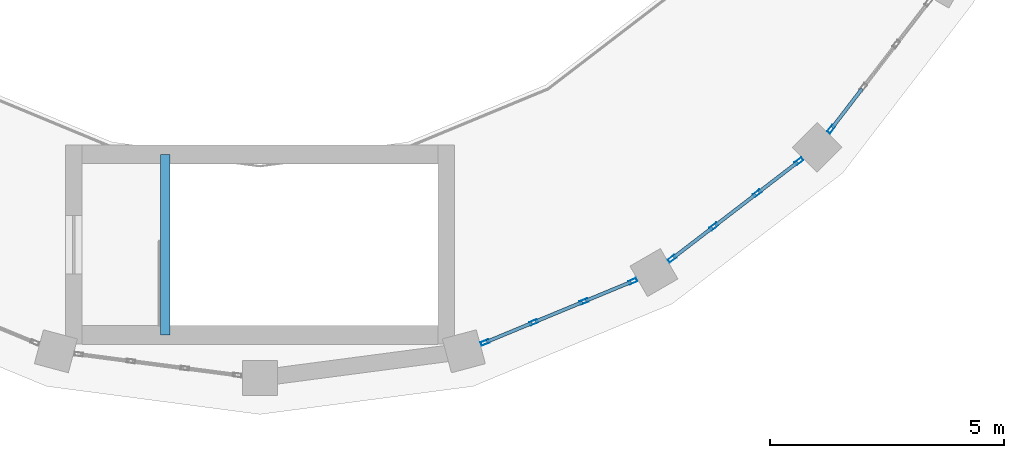
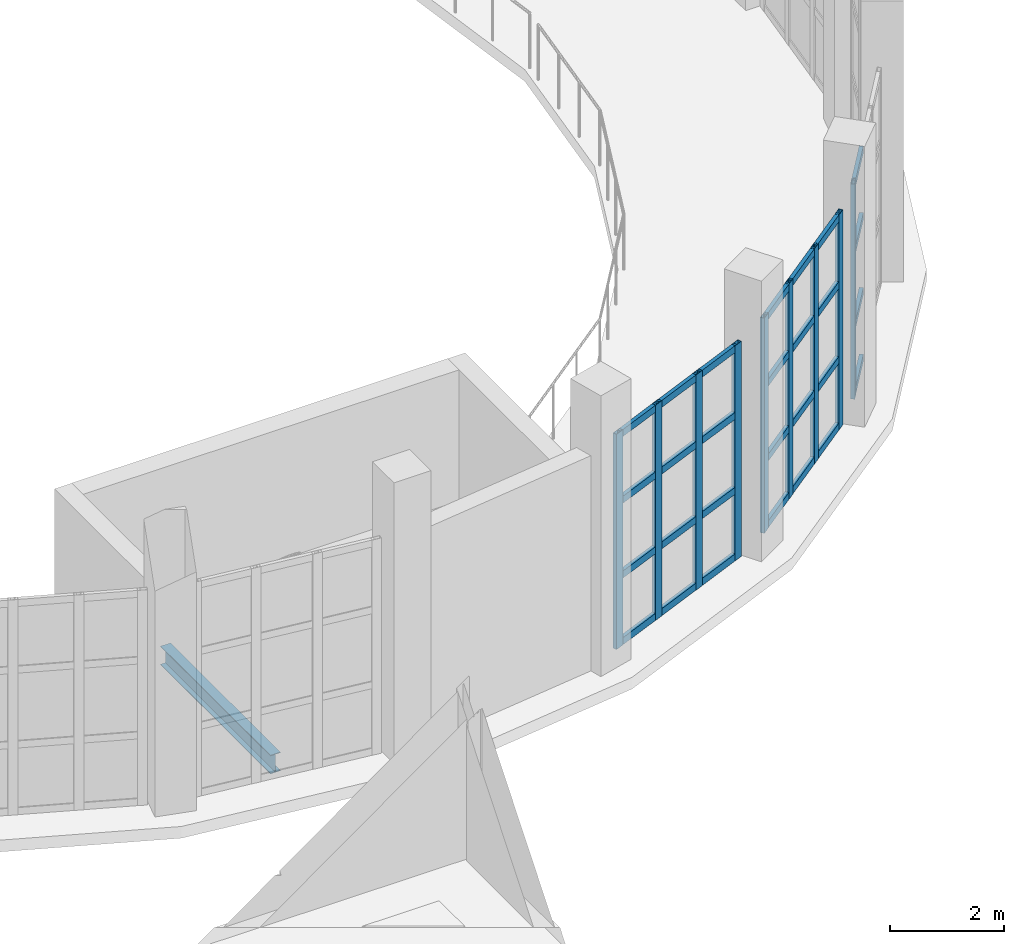
# One storey, part 26 of 59: 37 members, 1 beam, 3 elements without a shape of their own.
"""IFC4 building model written with IfcOpenShell, lengths in metres."""

from ifc_helpers import new_model, si_unit, direction, frame, origin, origin_2d, place, context, subcontext, project, spatial, hollow_rectangle, i_section, extrude, material, layer, layer_set, material_profile, profile_set, type_object, element, aggregate, save


model = new_model("IFC4")

# Units and contexts
model_context = context("Model", 3, precision=1e-05, world=origin(), true_north=direction((0.0, 1.0)))
body_context = subcontext(model_context, "Body", "Model", "MODEL_VIEW")
ifc_project = project(units=[si_unit("LENGTHUNIT", "METRE"), si_unit("AREAUNIT", "SQUARE_METRE"), si_unit("VOLUMEUNIT", "CUBIC_METRE"), si_unit("PLANEANGLEUNIT", "RADIAN"), si_unit("MASSUNIT", "GRAM", prefix="KILO")], contexts=[model_context])

# Site, building, storey
site_placement = place(None, origin())
site = spatial("IfcSite", under=ifc_project, at=site_placement, CompositionType="ELEMENT")
building_placement = place(site_placement, origin())
building = spatial("IfcBuilding", under=site, at=building_placement, Name="Kandorven Conservatory and Botanical Research Centre", CompositionType="ELEMENT")
storey_placement = place(building_placement, frame((0.0, 0.0, 4.800048828125)))
storey = spatial("IfcBuildingStorey", under=building, at=storey_placement, Name="L01", CompositionType="ELEMENT", Elevation=4.800048828125)

# Beam
ifc_material_1 = material(Name="Steel S355 (IS 2062 E350)", Category="steel")
ifc_material_profile_1 = material_profile(ifc_material_1, i_section(OverallWidth=0.199951171875, OverallDepth=0.39990234375, WebThickness=0.008544921875, FlangeThickness=0.012939453125, at=origin_2d()))
ifc_profile_set_1 = profile_set([ifc_material_profile_1], Name="Steel S355 (IS 2062 E350)")
beam_type = type_object("IfcBeamType", Name="Beam_FG-03", PredefinedType="USERDEFINED", material=ifc_profile_set_1)
beam_placement = place(storey_placement, frame((85.580078125, 31.89990234375, -0.199951171875), z_axis=(0.0, 1.0, 0.0), x_axis=(-1.0, 0.0, 0.0)))
element("IfcBeam", 1, at=beam_placement, inside=storey, type_object=beam_type, Name="Stair well bottom trimmer girder FG-03 ST-V1 L01", ObjectType="GIRDER", PredefinedType="USERDEFINED", context=body_context, shape_type="SweptSolid", body=[
    extrude(i_section(OverallWidth=0.199951171875, OverallDepth=0.39990234375, WebThickness=0.008544921875, FlangeThickness=0.012939453125, at=origin_2d()), origin(), (0.0, 0.0, 1.0), 3.85009765625),
])

# Curtain wall, members
ifc_material_2 = material(Name="Bronze anodised thermally broken aluminium", Category="aluminium")
ifc_layer = layer(ifc_material_2, 0.179931640625)
ifc_layer_set = layer_set([ifc_layer], Name="Bronze anodised thermally broken aluminium")
curtain_wall_type = type_object("IfcCurtainWallType", Name="CW_Clerestory", PredefinedType="USERDEFINED", material=ifc_layer_set)
curtain_wall_1_placement = place(storey_placement, origin())
curtain_wall_1 = element("IfcCurtainWall", 2, at=curtain_wall_1_placement, inside=storey, type_object=curtain_wall_type, Name="Conservatory drum clerestory glazing CW-DRUM-L01-20", ObjectType="CLERESTORY GLAZING", PredefinedType="USERDEFINED")
ifc_material_3 = material(Name="Bronze anodised thermally broken aluminium", Category="aluminium")
ifc_material_profile_2 = material_profile(ifc_material_3, hollow_rectangle(XDim=0.080078125, YDim=0.179931640625, WallThickness=0.006103515625, at=origin_2d()))
ifc_profile_set_2 = profile_set([ifc_material_profile_2], Name="Bronze anodised thermally broken aluminium")
member_type_1 = type_object("IfcMemberType", Name="CW_Mullion", PredefinedType="MULLION", material=ifc_profile_set_2)
member_1_placement = place(storey_placement, frame((92.4072265625, 31.73583984375, 0.0), z_axis=(0.0, 0.0, 1.0), x_axis=(-0.382668753353, 0.92388561262, 0.0)))
member_1 = element("IfcMember", 3, at=member_1_placement, type_object=member_type_1, Name="CW-02 mullion 1", PredefinedType="MULLION", context=body_context, shape_type="SweptSolid", body=[
    extrude(hollow_rectangle(XDim=0.080078125, YDim=0.179931640625, WallThickness=0.006103515625, at=origin_2d()), origin(), (0.0, 0.0, 1.0), 4.599853515625),
])
member_2_placement = place(storey_placement, frame((93.44580078125, 32.166015625, 0.0), z_axis=(0.0, 0.0, 1.0), x_axis=(-0.382668753353, 0.92388561262, 0.0)))
member_2 = element("IfcMember", 4, at=member_2_placement, type_object=member_type_1, Name="CW-02 mullion 2", PredefinedType="MULLION", context=body_context, shape_type="SweptSolid", body=[
    extrude(hollow_rectangle(XDim=0.080078125, YDim=0.179931640625, WallThickness=0.006103515625, at=origin_2d()), origin(), (0.0, 0.0, 1.0), 4.599853515625),
])
member_3_placement = place(storey_placement, frame((94.521240234375, 32.611328125, 0.0), z_axis=(0.0, 0.0, 1.0), x_axis=(-0.382668753353, 0.92388561262, 0.0)))
member_3 = element("IfcMember", 5, at=member_3_placement, type_object=member_type_1, Name="CW-02 mullion 3", PredefinedType="MULLION", context=body_context, shape_type="SweptSolid", body=[
    extrude(hollow_rectangle(XDim=0.080078125, YDim=0.179931640625, WallThickness=0.006103515625, at=origin_2d()), origin(), (0.0, 0.0, 1.0), 4.599853515625),
])
member_4_placement = place(storey_placement, frame((95.559814453125, 33.04150390625, 0.0), z_axis=(0.0, 0.0, 1.0), x_axis=(-0.382668753353, 0.92388561262, 0.0)))
member_4 = element("IfcMember", 6, at=member_4_placement, type_object=member_type_1, Name="CW-02 mullion 4", PredefinedType="MULLION", context=body_context, shape_type="SweptSolid", body=[
    extrude(hollow_rectangle(XDim=0.080078125, YDim=0.179931640625, WallThickness=0.006103515625, at=origin_2d()), origin(), (0.0, 0.0, 1.0), 4.599853515625),
])

curtain_wall_2_placement = place(storey_placement, origin())
curtain_wall_2 = element("IfcCurtainWall", 7, at=curtain_wall_2_placement, inside=storey, type_object=curtain_wall_type, Name="Conservatory drum clerestory glazing CW-DRUM-L01-21", ObjectType="CLERESTORY GLAZING", PredefinedType="USERDEFINED")
member_5_placement = place(storey_placement, frame((96.401123046875, 33.52734375, 0.0), z_axis=(0.0, 0.0, 1.0), x_axis=(-0.608769331471, 0.793347276456, 0.0)))
member_5 = element("IfcMember", 8, at=member_5_placement, type_object=member_type_1, Name="CW-02 mullion 1", PredefinedType="MULLION", context=body_context, shape_type="SweptSolid", body=[
    extrude(hollow_rectangle(XDim=0.080078125, YDim=0.179931640625, WallThickness=0.006103515625, at=origin_2d()), origin(), (0.0, 0.0, 1.0), 4.599853515625),
])
member_6_placement = place(storey_placement, frame((97.29296875, 34.211669921875, 0.0), z_axis=(0.0, 0.0, 1.0), x_axis=(-0.608769331471, 0.793347276456, 0.0)))
member_6 = element("IfcMember", 9, at=member_6_placement, type_object=member_type_1, Name="CW-02 mullion 2", PredefinedType="MULLION", context=body_context, shape_type="SweptSolid", body=[
    extrude(hollow_rectangle(XDim=0.080078125, YDim=0.179931640625, WallThickness=0.006103515625, at=origin_2d()), origin(), (0.0, 0.0, 1.0), 4.599853515625),
])
member_7_placement = place(storey_placement, frame((98.216552734375, 34.92041015625, 0.0), z_axis=(0.0, 0.0, 1.0), x_axis=(-0.608769331471, 0.793347276456, 0.0)))
member_7 = element("IfcMember", 10, at=member_7_placement, type_object=member_type_1, Name="CW-02 mullion 3", PredefinedType="MULLION", context=body_context, shape_type="SweptSolid", body=[
    extrude(hollow_rectangle(XDim=0.080078125, YDim=0.179931640625, WallThickness=0.006103515625, at=origin_2d()), origin(), (0.0, 0.0, 1.0), 4.599853515625),
])
member_8_placement = place(storey_placement, frame((99.1083984375, 35.604736328125, 0.0), z_axis=(0.0, 0.0, 1.0), x_axis=(-0.608769331471, 0.793347276456, 0.0)))
member_8 = element("IfcMember", 11, at=member_8_placement, type_object=member_type_1, Name="CW-02 mullion 4", PredefinedType="MULLION", context=body_context, shape_type="SweptSolid", body=[
    extrude(hollow_rectangle(XDim=0.080078125, YDim=0.179931640625, WallThickness=0.006103515625, at=origin_2d()), origin(), (0.0, 0.0, 1.0), 4.599853515625),
])

# Curtain wall, member
curtain_wall_3_placement = place(storey_placement, origin())
curtain_wall_3 = element("IfcCurtainWall", 12, at=curtain_wall_3_placement, inside=storey, type_object=curtain_wall_type, Name="Conservatory drum clerestory glazing CW-DRUM-L01-22", ObjectType="CLERESTORY GLAZING", PredefinedType="USERDEFINED")
member_9_placement = place(storey_placement, frame((99.79541015625, 36.291748046875, 0.0), z_axis=(0.0, 0.0, 1.0), x_axis=(-0.793347276456, 0.608769331471, 0.0)))
member_9 = element("IfcMember", 13, at=member_9_placement, type_object=member_type_1, Name="CW-02 mullion 1", PredefinedType="MULLION", context=body_context, shape_type="SweptSolid", body=[
    extrude(hollow_rectangle(XDim=0.080078125, YDim=0.179931640625, WallThickness=0.006103515625, at=origin_2d()), origin(), (0.0, 0.0, 1.0), 4.599853515625),
])

# Member
ifc_material_4 = material(Name="Bronze anodised thermally broken aluminium", Category="aluminium")
ifc_material_profile_3 = material_profile(ifc_material_4, hollow_rectangle(XDim=0.074951171875, YDim=0.14990234375, WallThickness=0.006103515625, at=origin_2d()))
ifc_profile_set_3 = profile_set([ifc_material_profile_3], Name="Bronze anodised thermally broken aluminium")
member_type_2 = type_object("IfcMemberType", Name="CW_Transom", PredefinedType="USERDEFINED", material=ifc_profile_set_3)
member_10_placement = place(storey_placement, frame((92.444091796875, 31.751220703125, 0.074951171875), z_axis=(0.923959856763, 0.382489454875, 0.0), x_axis=(-0.382489454875, 0.923959856763, 0.0)))
member_10 = element("IfcMember", 14, at=member_10_placement, type_object=member_type_2, Name="CW-02 transom 1.1", ObjectType="TRANSOM", PredefinedType="USERDEFINED", context=body_context, shape_type="SweptSolid", body=[
    extrude(hollow_rectangle(XDim=0.074951171875, YDim=0.14990234375, WallThickness=0.006103515625, at=origin_2d()), origin(), (0.0, 0.0, 1.0), 1.044189453125),
])

member_11_placement = place(storey_placement, frame((92.444091796875, 31.751220703125, 1.5), z_axis=(0.923959856763, 0.382489454875, 0.0), x_axis=(-0.382489454875, 0.923959856763, 0.0)))
member_11 = element("IfcMember", 15, at=member_11_placement, type_object=member_type_2, Name="CW-02 transom 1.2", ObjectType="TRANSOM", PredefinedType="USERDEFINED", context=body_context, shape_type="SweptSolid", body=[
    extrude(hollow_rectangle(XDim=0.074951171875, YDim=0.14990234375, WallThickness=0.006103515625, at=origin_2d()), origin(), (0.0, 0.0, 1.0), 1.044189453125),
])

member_12_placement = place(storey_placement, frame((92.444091796875, 31.751220703125, 3.099853515625), z_axis=(0.923959856763, 0.382489454875, 0.0), x_axis=(-0.382489454875, 0.923959856763, 0.0)))
member_12 = element("IfcMember", 16, at=member_12_placement, type_object=member_type_2, Name="CW-02 transom 1.3", ObjectType="TRANSOM", PredefinedType="USERDEFINED", context=body_context, shape_type="SweptSolid", body=[
    extrude(hollow_rectangle(XDim=0.074951171875, YDim=0.14990234375, WallThickness=0.006103515625, at=origin_2d()), origin(), (0.0, 0.0, 1.0), 1.044189453125),
])

member_13_placement = place(storey_placement, frame((92.444091796875, 31.751220703125, 4.52490234375), z_axis=(0.923959856763, 0.382489454875, 0.0), x_axis=(-0.382489454875, 0.923959856763, 0.0)))
member_13 = element("IfcMember", 17, at=member_13_placement, type_object=member_type_2, Name="CW-02 transom 1.4", ObjectType="TRANSOM", PredefinedType="USERDEFINED", context=body_context, shape_type="SweptSolid", body=[
    extrude(hollow_rectangle(XDim=0.074951171875, YDim=0.14990234375, WallThickness=0.006103515625, at=origin_2d()), origin(), (0.0, 0.0, 1.0), 1.044189453125),
])

member_14_placement = place(storey_placement, frame((93.482666015625, 32.18115234375, 0.074951171875), z_axis=(0.923841176954, 0.382776017749, 0.0), x_axis=(-0.382776017749, 0.923841176954, 0.0)))
member_14 = element("IfcMember", 18, at=member_14_placement, type_object=member_type_2, Name="CW-02 transom 2.1", ObjectType="TRANSOM", PredefinedType="USERDEFINED", context=body_context, shape_type="SweptSolid", body=[
    extrude(hollow_rectangle(XDim=0.074951171875, YDim=0.14990234375, WallThickness=0.006103515625, at=origin_2d()), origin(), (0.0, 0.0, 1.0), 1.084228515625),
])

member_15_placement = place(storey_placement, frame((93.482666015625, 32.18115234375, 1.5), z_axis=(0.923841176954, 0.382776017749, 0.0), x_axis=(-0.382776017749, 0.923841176954, 0.0)))
member_15 = element("IfcMember", 19, at=member_15_placement, type_object=member_type_2, Name="CW-02 transom 2.2", ObjectType="TRANSOM", PredefinedType="USERDEFINED", context=body_context, shape_type="SweptSolid", body=[
    extrude(hollow_rectangle(XDim=0.074951171875, YDim=0.14990234375, WallThickness=0.006103515625, at=origin_2d()), origin(), (0.0, 0.0, 1.0), 1.084228515625),
])

member_16_placement = place(storey_placement, frame((93.482666015625, 32.18115234375, 3.099853515625), z_axis=(0.923841176954, 0.382776017749, 0.0), x_axis=(-0.382776017749, 0.923841176954, 0.0)))
member_16 = element("IfcMember", 20, at=member_16_placement, type_object=member_type_2, Name="CW-02 transom 2.3", ObjectType="TRANSOM", PredefinedType="USERDEFINED", context=body_context, shape_type="SweptSolid", body=[
    extrude(hollow_rectangle(XDim=0.074951171875, YDim=0.14990234375, WallThickness=0.006103515625, at=origin_2d()), origin(), (0.0, 0.0, 1.0), 1.084228515625),
])

member_17_placement = place(storey_placement, frame((93.482666015625, 32.18115234375, 4.52490234375), z_axis=(0.923841176954, 0.382776017749, 0.0), x_axis=(-0.382776017749, 0.923841176954, 0.0)))
member_17 = element("IfcMember", 21, at=member_17_placement, type_object=member_type_2, Name="CW-02 transom 2.4", ObjectType="TRANSOM", PredefinedType="USERDEFINED", context=body_context, shape_type="SweptSolid", body=[
    extrude(hollow_rectangle(XDim=0.074951171875, YDim=0.14990234375, WallThickness=0.006103515625, at=origin_2d()), origin(), (0.0, 0.0, 1.0), 1.084228515625),
])

member_18_placement = place(storey_placement, frame((94.558349609375, 32.626708984375, 0.074951171875), z_axis=(0.923842970528, 0.382771688877, 0.0), x_axis=(-0.382771688877, 0.923842970528, 0.0)))
member_18 = element("IfcMember", 22, at=member_18_placement, type_object=member_type_2, Name="CW-02 transom 3.1", ObjectType="TRANSOM", PredefinedType="USERDEFINED", context=body_context, shape_type="SweptSolid", body=[
    extrude(hollow_rectangle(XDim=0.074951171875, YDim=0.14990234375, WallThickness=0.006103515625, at=origin_2d()), origin(), (0.0, 0.0, 1.0), 1.044189453125),
])

member_19_placement = place(storey_placement, frame((94.558349609375, 32.626708984375, 1.5), z_axis=(0.923842970528, 0.382771688877, 0.0), x_axis=(-0.382771688877, 0.923842970528, 0.0)))
member_19 = element("IfcMember", 23, at=member_19_placement, type_object=member_type_2, Name="CW-02 transom 3.2", ObjectType="TRANSOM", PredefinedType="USERDEFINED", context=body_context, shape_type="SweptSolid", body=[
    extrude(hollow_rectangle(XDim=0.074951171875, YDim=0.14990234375, WallThickness=0.006103515625, at=origin_2d()), origin(), (0.0, 0.0, 1.0), 1.044189453125),
])

member_20_placement = place(storey_placement, frame((94.558349609375, 32.626708984375, 3.099853515625), z_axis=(0.923842970528, 0.382771688877, 0.0), x_axis=(-0.382771688877, 0.923842970528, 0.0)))
member_20 = element("IfcMember", 24, at=member_20_placement, type_object=member_type_2, Name="CW-02 transom 3.3", ObjectType="TRANSOM", PredefinedType="USERDEFINED", context=body_context, shape_type="SweptSolid", body=[
    extrude(hollow_rectangle(XDim=0.074951171875, YDim=0.14990234375, WallThickness=0.006103515625, at=origin_2d()), origin(), (0.0, 0.0, 1.0), 1.044189453125),
])

member_21_placement = place(storey_placement, frame((94.558349609375, 32.626708984375, 4.52490234375), z_axis=(0.923842970528, 0.382771688877, 0.0), x_axis=(-0.382771688877, 0.923842970528, 0.0)))
member_21 = element("IfcMember", 25, at=member_21_placement, type_object=member_type_2, Name="CW-02 transom 3.4", ObjectType="TRANSOM", PredefinedType="USERDEFINED", context=body_context, shape_type="SweptSolid", body=[
    extrude(hollow_rectangle(XDim=0.074951171875, YDim=0.14990234375, WallThickness=0.006103515625, at=origin_2d()), origin(), (0.0, 0.0, 1.0), 1.044189453125),
])

aggregate(curtain_wall_1, [member_1, member_2, member_3, member_4, member_10, member_11, member_12, member_13, member_14, member_15, member_16, member_17, member_18, member_19, member_20, member_21])

member_22_placement = place(storey_placement, frame((96.432861328125, 33.5517578125, 0.074951171875), z_axis=(0.793414374508, 0.608681879412, 0.0), x_axis=(-0.608681879412, 0.793414374508, 0.0)))
member_22 = element("IfcMember", 26, at=member_22_placement, type_object=member_type_2, Name="CW-02 transom 1.1", ObjectType="TRANSOM", PredefinedType="USERDEFINED", context=body_context, shape_type="SweptSolid", body=[
    extrude(hollow_rectangle(XDim=0.074951171875, YDim=0.14990234375, WallThickness=0.006103515625, at=origin_2d()), origin(), (0.0, 0.0, 1.0), 1.0439453125),
])

member_23_placement = place(storey_placement, frame((96.432861328125, 33.5517578125, 1.5), z_axis=(0.793414374508, 0.608681879412, 0.0), x_axis=(-0.608681879412, 0.793414374508, 0.0)))
member_23 = element("IfcMember", 27, at=member_23_placement, type_object=member_type_2, Name="CW-02 transom 1.2", ObjectType="TRANSOM", PredefinedType="USERDEFINED", context=body_context, shape_type="SweptSolid", body=[
    extrude(hollow_rectangle(XDim=0.074951171875, YDim=0.14990234375, WallThickness=0.006103515625, at=origin_2d()), origin(), (0.0, 0.0, 1.0), 1.0439453125),
])

member_24_placement = place(storey_placement, frame((96.432861328125, 33.5517578125, 3.099853515625), z_axis=(0.793414374508, 0.608681879412, 0.0), x_axis=(-0.608681879412, 0.793414374508, 0.0)))
member_24 = element("IfcMember", 28, at=member_24_placement, type_object=member_type_2, Name="CW-02 transom 1.3", ObjectType="TRANSOM", PredefinedType="USERDEFINED", context=body_context, shape_type="SweptSolid", body=[
    extrude(hollow_rectangle(XDim=0.074951171875, YDim=0.14990234375, WallThickness=0.006103515625, at=origin_2d()), origin(), (0.0, 0.0, 1.0), 1.0439453125),
])

member_25_placement = place(storey_placement, frame((96.432861328125, 33.5517578125, 4.52490234375), z_axis=(0.793414374508, 0.608681879412, 0.0), x_axis=(-0.608681879412, 0.793414374508, 0.0)))
member_25 = element("IfcMember", 29, at=member_25_placement, type_object=member_type_2, Name="CW-02 transom 1.4", ObjectType="TRANSOM", PredefinedType="USERDEFINED", context=body_context, shape_type="SweptSolid", body=[
    extrude(hollow_rectangle(XDim=0.074951171875, YDim=0.14990234375, WallThickness=0.006103515625, at=origin_2d()), origin(), (0.0, 0.0, 1.0), 1.0439453125),
])

member_26_placement = place(storey_placement, frame((97.32470703125, 34.236083984375, 0.074951171875), z_axis=(0.793385204739, 0.608719900201, 0.0), x_axis=(-0.608719900201, 0.793385204739, 0.0)))
member_26 = element("IfcMember", 30, at=member_26_placement, type_object=member_type_2, Name="CW-02 transom 2.1", ObjectType="TRANSOM", PredefinedType="USERDEFINED", context=body_context, shape_type="SweptSolid", body=[
    extrude(hollow_rectangle(XDim=0.074951171875, YDim=0.14990234375, WallThickness=0.006103515625, at=origin_2d()), origin(), (0.0, 0.0, 1.0), 1.083984375),
])

member_27_placement = place(storey_placement, frame((97.32470703125, 34.236083984375, 1.5), z_axis=(0.793385204739, 0.608719900201, 0.0), x_axis=(-0.608719900201, 0.793385204739, 0.0)))
member_27 = element("IfcMember", 31, at=member_27_placement, type_object=member_type_2, Name="CW-02 transom 2.2", ObjectType="TRANSOM", PredefinedType="USERDEFINED", context=body_context, shape_type="SweptSolid", body=[
    extrude(hollow_rectangle(XDim=0.074951171875, YDim=0.14990234375, WallThickness=0.006103515625, at=origin_2d()), origin(), (0.0, 0.0, 1.0), 1.083984375),
])

member_28_placement = place(storey_placement, frame((97.32470703125, 34.236083984375, 3.099853515625), z_axis=(0.793385204739, 0.608719900201, 0.0), x_axis=(-0.608719900201, 0.793385204739, 0.0)))
member_28 = element("IfcMember", 32, at=member_28_placement, type_object=member_type_2, Name="CW-02 transom 2.3", ObjectType="TRANSOM", PredefinedType="USERDEFINED", context=body_context, shape_type="SweptSolid", body=[
    extrude(hollow_rectangle(XDim=0.074951171875, YDim=0.14990234375, WallThickness=0.006103515625, at=origin_2d()), origin(), (0.0, 0.0, 1.0), 1.083984375),
])

member_29_placement = place(storey_placement, frame((97.32470703125, 34.236083984375, 4.52490234375), z_axis=(0.793385204739, 0.608719900201, 0.0), x_axis=(-0.608719900201, 0.793385204739, 0.0)))
member_29 = element("IfcMember", 33, at=member_29_placement, type_object=member_type_2, Name="CW-02 transom 2.4", ObjectType="TRANSOM", PredefinedType="USERDEFINED", context=body_context, shape_type="SweptSolid", body=[
    extrude(hollow_rectangle(XDim=0.074951171875, YDim=0.14990234375, WallThickness=0.006103515625, at=origin_2d()), origin(), (0.0, 0.0, 1.0), 1.083984375),
])

member_30_placement = place(storey_placement, frame((98.248291015625, 34.944580078125, 0.074951171875), z_axis=(0.793301447628, 0.608829050876, 0.0), x_axis=(-0.608829050876, 0.793301447628, 0.0)))
member_30 = element("IfcMember", 34, at=member_30_placement, type_object=member_type_2, Name="CW-02 transom 3.1", ObjectType="TRANSOM", PredefinedType="USERDEFINED", context=body_context, shape_type="SweptSolid", body=[
    extrude(hollow_rectangle(XDim=0.074951171875, YDim=0.14990234375, WallThickness=0.006103515625, at=origin_2d()), origin(), (0.0, 0.0, 1.0), 1.044189453125),
])

member_31_placement = place(storey_placement, frame((98.248291015625, 34.944580078125, 1.5), z_axis=(0.793301447628, 0.608829050876, 0.0), x_axis=(-0.608829050876, 0.793301447628, 0.0)))
member_31 = element("IfcMember", 35, at=member_31_placement, type_object=member_type_2, Name="CW-02 transom 3.2", ObjectType="TRANSOM", PredefinedType="USERDEFINED", context=body_context, shape_type="SweptSolid", body=[
    extrude(hollow_rectangle(XDim=0.074951171875, YDim=0.14990234375, WallThickness=0.006103515625, at=origin_2d()), origin(), (0.0, 0.0, 1.0), 1.044189453125),
])

member_32_placement = place(storey_placement, frame((98.248291015625, 34.944580078125, 3.099853515625), z_axis=(0.793301447628, 0.608829050876, 0.0), x_axis=(-0.608829050876, 0.793301447628, 0.0)))
member_32 = element("IfcMember", 36, at=member_32_placement, type_object=member_type_2, Name="CW-02 transom 3.3", ObjectType="TRANSOM", PredefinedType="USERDEFINED", context=body_context, shape_type="SweptSolid", body=[
    extrude(hollow_rectangle(XDim=0.074951171875, YDim=0.14990234375, WallThickness=0.006103515625, at=origin_2d()), origin(), (0.0, 0.0, 1.0), 1.044189453125),
])

member_33_placement = place(storey_placement, frame((98.248291015625, 34.944580078125, 4.52490234375), z_axis=(0.793301447628, 0.608829050876, 0.0), x_axis=(-0.608829050876, 0.793301447628, 0.0)))
member_33 = element("IfcMember", 37, at=member_33_placement, type_object=member_type_2, Name="CW-02 transom 3.4", ObjectType="TRANSOM", PredefinedType="USERDEFINED", context=body_context, shape_type="SweptSolid", body=[
    extrude(hollow_rectangle(XDim=0.074951171875, YDim=0.14990234375, WallThickness=0.006103515625, at=origin_2d()), origin(), (0.0, 0.0, 1.0), 1.044189453125),
])

aggregate(curtain_wall_2, [member_5, member_6, member_7, member_8, member_22, member_23, member_24, member_25, member_26, member_27, member_28, member_29, member_30, member_31, member_32, member_33])

member_34_placement = place(storey_placement, frame((99.819580078125, 36.323486328125, 0.074951171875), z_axis=(0.608941990108, 0.793214758236, 0.0), x_axis=(-0.793214758236, 0.608941990108, 0.0)))
member_34 = element("IfcMember", 38, at=member_34_placement, type_object=member_type_2, Name="CW-02 transom 1.1", ObjectType="TRANSOM", PredefinedType="USERDEFINED", context=body_context, shape_type="SweptSolid", body=[
    extrude(hollow_rectangle(XDim=0.074951171875, YDim=0.14990234375, WallThickness=0.006103515625, at=origin_2d()), origin(), (0.0, 0.0, 1.0), 1.0439453125),
])

member_35_placement = place(storey_placement, frame((99.819580078125, 36.323486328125, 1.5), z_axis=(0.608941990108, 0.793214758236, 0.0), x_axis=(-0.793214758236, 0.608941990108, 0.0)))
member_35 = element("IfcMember", 39, at=member_35_placement, type_object=member_type_2, Name="CW-02 transom 1.2", ObjectType="TRANSOM", PredefinedType="USERDEFINED", context=body_context, shape_type="SweptSolid", body=[
    extrude(hollow_rectangle(XDim=0.074951171875, YDim=0.14990234375, WallThickness=0.006103515625, at=origin_2d()), origin(), (0.0, 0.0, 1.0), 1.0439453125),
])

member_36_placement = place(storey_placement, frame((99.819580078125, 36.323486328125, 3.099853515625), z_axis=(0.608941990108, 0.793214758236, 0.0), x_axis=(-0.793214758236, 0.608941990108, 0.0)))
member_36 = element("IfcMember", 40, at=member_36_placement, type_object=member_type_2, Name="CW-02 transom 1.3", ObjectType="TRANSOM", PredefinedType="USERDEFINED", context=body_context, shape_type="SweptSolid", body=[
    extrude(hollow_rectangle(XDim=0.074951171875, YDim=0.14990234375, WallThickness=0.006103515625, at=origin_2d()), origin(), (0.0, 0.0, 1.0), 1.0439453125),
])

member_37_placement = place(storey_placement, frame((99.819580078125, 36.323486328125, 4.52490234375), z_axis=(0.608941990108, 0.793214758236, 0.0), x_axis=(-0.793214758236, 0.608941990108, 0.0)))
member_37 = element("IfcMember", 41, at=member_37_placement, type_object=member_type_2, Name="CW-02 transom 1.4", ObjectType="TRANSOM", PredefinedType="USERDEFINED", context=body_context, shape_type="SweptSolid", body=[
    extrude(hollow_rectangle(XDim=0.074951171875, YDim=0.14990234375, WallThickness=0.006103515625, at=origin_2d()), origin(), (0.0, 0.0, 1.0), 1.0439453125),
])

aggregate(curtain_wall_3, [member_9, member_34, member_35, member_36, member_37])

save(model, "model.ifc")
